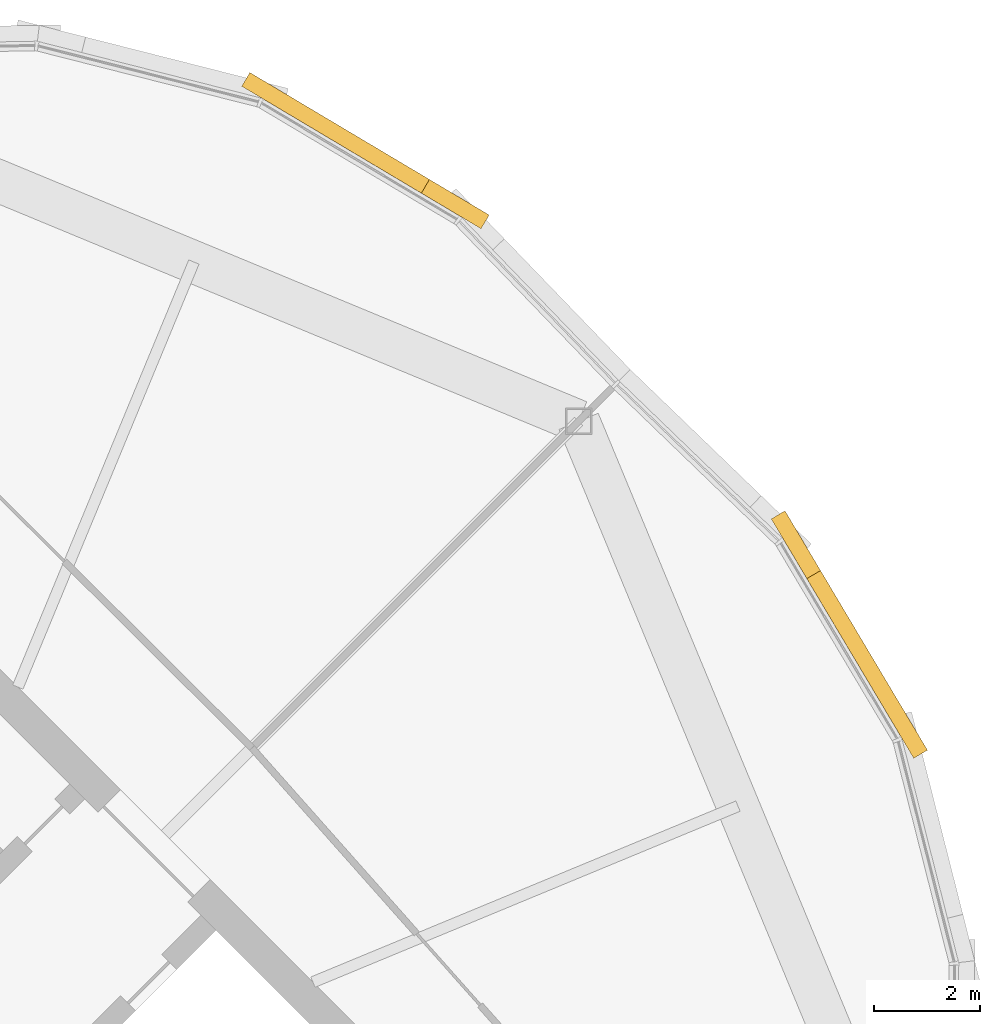
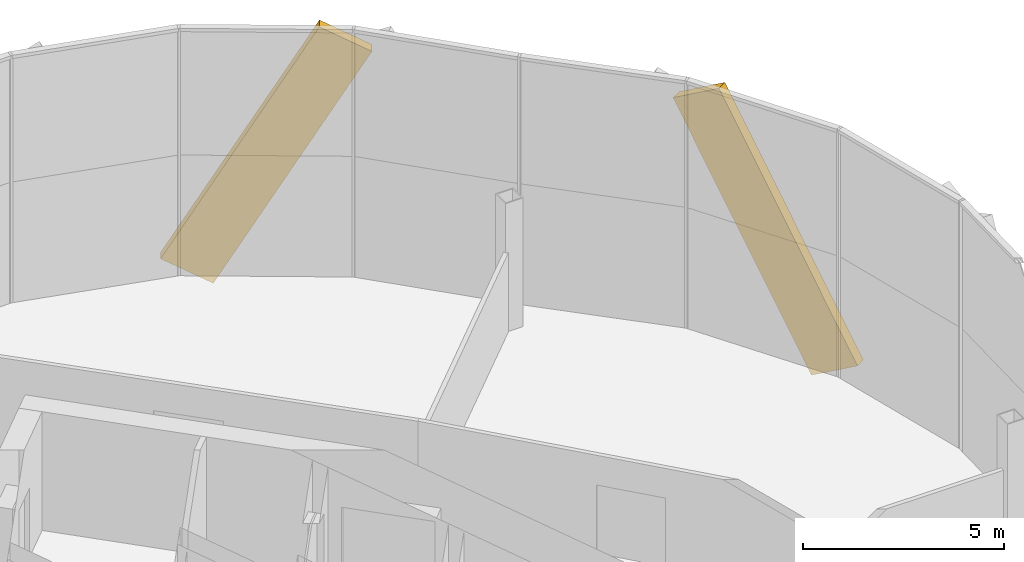
# One storey, part 26 of 27: 2 coverings.
"""IFC4 building model written with IfcOpenShell, lengths in metres."""

from ifc_helpers import new_model, si_unit, direction, frame, origin, origin_2d, place, context, subcontext, project, spatial, rectangle, extrude, material, material_profile, profile_set, type_object, element, save


model = new_model("IFC4")

# Units and contexts
model_context = context("Model", 3, precision=1e-05, world=origin(), true_north=direction((0.0, 1.0)))
body_context = subcontext(model_context, "Body", "Model", "MODEL_VIEW")
ifc_project = project(units=[si_unit("LENGTHUNIT", "METRE"), si_unit("AREAUNIT", "SQUARE_METRE"), si_unit("VOLUMEUNIT", "CUBIC_METRE"), si_unit("PLANEANGLEUNIT", "RADIAN"), si_unit("MASSUNIT", "GRAM", prefix="KILO")], contexts=[model_context])

# Site, building, storey
site_placement = place(None, origin())
site = spatial("IfcSite", under=ifc_project, at=site_placement, CompositionType="ELEMENT")
building_placement = place(site_placement, origin())
building = spatial("IfcBuilding", under=site, at=building_placement, Name="Ogive Gate Towers", CompositionType="ELEMENT")
storey_placement = place(building_placement, frame((0.0, 0.0, 189.0)))
storey = spatial("IfcBuildingStorey", under=building, at=storey_placement, Name="L45", CompositionType="ELEMENT", Elevation=189.0)

# Coverings
ifc_material = material(Name="Pale metal aluminium", Category="aluminium")
ifc_material_profile = material_profile(ifc_material, rectangle(XDim=0.300048828125, YDim=1.5, at=origin_2d()), Name="1500 x 300 pale metal aluminium")
ifc_profile_set = profile_set([ifc_material_profile], Name="Pale metal aluminium")
covering_type = type_object("IfcCoveringType", Name="Facade fin 1500 x 300", PredefinedType="CLADDING", material=ifc_profile_set)
for number, where, z_axis, x_axis, name in (
    (1, (56.623046875, 8.79638671875, 0.015380859375), (-0.249117756707, 0.418453885313, 0.873405226204), (-0.859258530379, -0.511541570129, 0.0), "Facade fin"),
    (2, (44.79638671875, 20.623046875, 0.015380859375), (0.418453885313, -0.249117756707, 0.873405226204), (0.511541570129, 0.859258530379, 0.0), "Facade fin"),
):
    element("IfcCovering", number, at=place(storey_placement, frame(where, z_axis=z_axis, x_axis=x_axis)), inside=storey, type_object=covering_type, Name=name, PredefinedType="CLADDING", context=body_context, shape_type="SweptSolid", body=[
        extrude(rectangle(XDim=0.300048828125, YDim=1.5, at=origin_2d()), origin(), (0.0, 0.0, 1.0), 8.093994140625),
    ])

save(model, "model.ifc")
